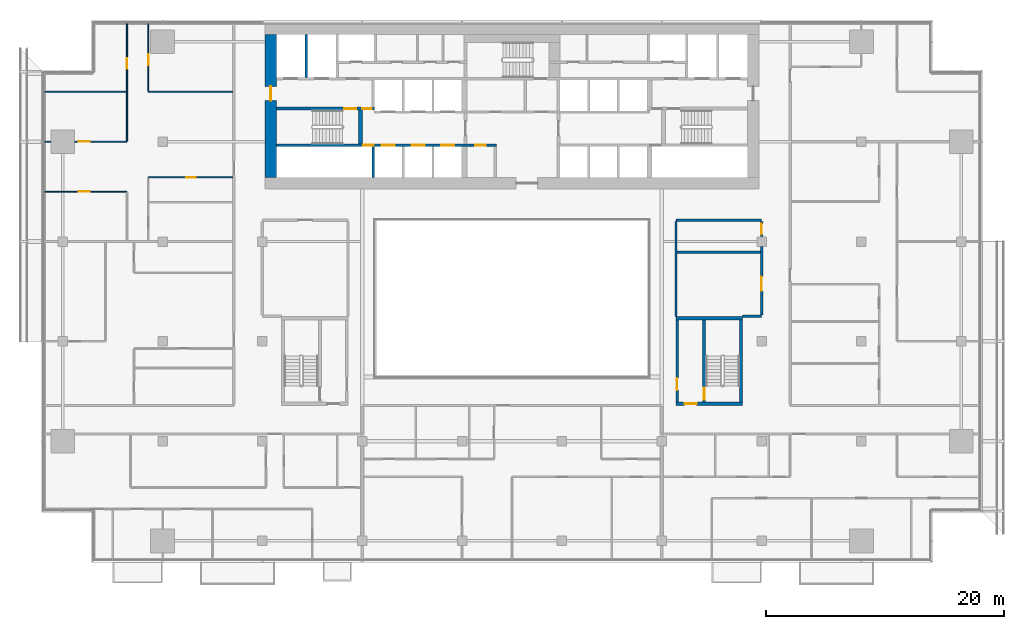
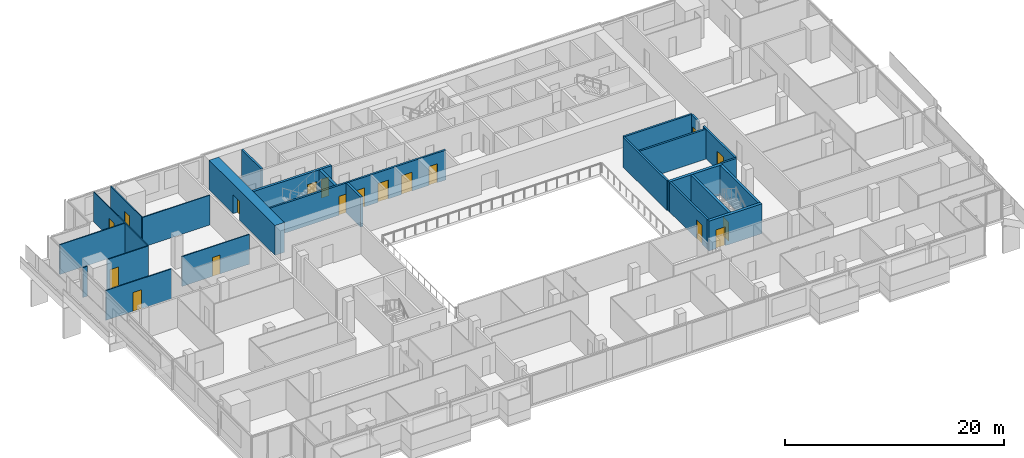
# One storey, part 20 of 27: 25 walls, 18 doors, 18 openings.
"""IFC4 building model written with IfcOpenShell, lengths in metres."""

import ifcopenshell
import ifcopenshell.guid

model = None  # the IFC model being written
_history = None  # IfcOwnerHistory: only IFC2X3 demands one
_inside = {}  # id of a spatial element -> (the spatial element, [elements in it])
_under = {}  # id of a project, library or spatial element -> (it, [spatial elements below it])
_declared = {}  # id of a project -> (the project, [libraries it declares])
_typed = {}  # id of a type object -> (the type object, [elements of that type])
_made_of = {}  # id of a material, layer set ... -> (it, [elements and type objects made of it])


def new_model(schema):
    """Start an empty IFC model of exactly this schema.

    Asked for "IFC4X3", IfcOpenShell would pick the latest addendum, in which some entities
    have other attributes; the version numbers below select the first issue.
    IFC2X3 requires an IfcOwnerHistory on every rooted entity: one is made here for all.
    """
    global model, _history
    if schema == "IFC4X3":
        model = ifcopenshell.file(schema_version=(4, 3, 0, 0))
    else:
        model = ifcopenshell.file(schema=schema)
    _inside.clear()
    _under.clear()
    _declared.clear()
    _typed.clear()
    _made_of.clear()
    _history = None
    if model.schema == "IFC2X3":
        org = make("IfcOrganization", Name="unknown")
        user = make(
            "IfcPersonAndOrganization",
            ThePerson=make("IfcPerson", FamilyName="unknown"),
            TheOrganization=org,
        )
        app = make(
            "IfcApplication",
            ApplicationDeveloper=org,
            Version="unknown",
            ApplicationFullName="unknown",
            ApplicationIdentifier="unknown",
        )
        _history = make(
            "IfcOwnerHistory",
            OwningUser=user,
            OwningApplication=app,
            ChangeAction="ADDED",
            CreationDate=0,
        )
    return model


def make(cls, **values):
    """One entity of the class cls with the attributes given. An attribute that is None is left unset."""
    return model.create_entity(
        cls, **{name: value for name, value in values.items() if value is not None}
    )


def rooted(cls, **values):
    """An entity with a GlobalId (a new one), such as an element, a storey or a relation."""
    return make(cls, GlobalId=ifcopenshell.guid.new(), OwnerHistory=_history, **values)


def si_unit(unit_type, name, prefix=None):
    """IfcSIUnit, for example si_unit("LENGTHUNIT", "METRE", prefix="MILLI")."""
    return make("IfcSIUnit", UnitType=unit_type, Prefix=prefix, Name=name)


def assignment(units):
    """IfcUnitAssignment: the units of a project."""
    return None if units is None else make("IfcUnitAssignment", Units=units)


def point(xyz):
    """IfcCartesianPoint."""
    return None if xyz is None else make("IfcCartesianPoint", Coordinates=xyz)


def direction(xyz):
    """IfcDirection."""
    return None if xyz is None else make("IfcDirection", DirectionRatios=xyz)


def frame(location, z_axis=None, x_axis=None):
    """IfcAxis2Placement3D, a coordinate frame: its origin and axes. An axis left out is left unset."""
    return make(
        "IfcAxis2Placement3D",
        Location=point(location),
        Axis=direction(z_axis),
        RefDirection=direction(x_axis),
    )


def frame_2d(location, x_axis=None):
    """IfcAxis2Placement2D, a coordinate frame in the plane: its origin and x axis."""
    return make(
        "IfcAxis2Placement2D", Location=point(location), RefDirection=direction(x_axis)
    )


def origin():
    """The frame at (0, 0, 0) with its axes left unset."""
    return frame((0.0, 0.0, 0.0))


def place(relative_to, where):
    """IfcLocalPlacement: puts the frame where relative to a parent placement (None: the world)."""
    return make(
        "IfcLocalPlacement", PlacementRelTo=relative_to, RelativePlacement=where
    )


def context(
    kind, dimensions, precision=None, world=None, true_north=None, identifier=None
):
    """IfcGeometricRepresentationContext, for example the 3D "Model" context."""
    return make(
        "IfcGeometricRepresentationContext",
        ContextIdentifier=identifier,
        ContextType=kind,
        CoordinateSpaceDimension=dimensions,
        Precision=precision,
        WorldCoordinateSystem=world,
        TrueNorth=true_north,
    )


def subcontext(parent, identifier, kind, view, scale=None):
    """IfcGeometricRepresentationSubContext, for example "Body" below "Model"."""
    return make(
        "IfcGeometricRepresentationSubContext",
        ContextIdentifier=identifier,
        ContextType=kind,
        ParentContext=parent,
        TargetScale=scale,
        TargetView=view,
    )


def project(units=None, contexts=None):
    """IfcProject with its units and contexts."""
    return rooted(
        "IfcProject",
        Name="project",
        RepresentationContexts=contexts,
        UnitsInContext=assignment(units),
    )


def spatial(cls, under=None, at=None, **own):
    """A site, building, storey or space (cls), placed at a placement, below another one or the project."""
    s = rooted(cls, ObjectPlacement=at, **own)
    if under is not None:
        _under.setdefault(under.id(), (under, []))[1].append(s)
    return s


def profile(cls, at=None, kind="AREA", **sizes):
    """A parametric profile (cls). Its sizes go by their IFC names, for example OverallWidth=200.0."""
    return make(cls, ProfileType=kind, Position=at, **sizes)


def rectangle(**sizes):
    """IfcRectangleProfileDef."""
    return profile("IfcRectangleProfileDef", **sizes)


def extrude(swept, where, along, depth):
    """IfcExtrudedAreaSolid: the profile swept, set in the frame where, extruded along a direction by depth."""
    return make(
        "IfcExtrudedAreaSolid",
        SweptArea=swept,
        Position=where,
        ExtrudedDirection=direction(along),
        Depth=depth,
    )


def shape(context_of_items, identifier, shape_type, items):
    """IfcShapeRepresentation: the items that make up one representation, for example the "Body"."""
    return make(
        "IfcShapeRepresentation",
        ContextOfItems=context_of_items,
        RepresentationIdentifier=identifier,
        RepresentationType=shape_type,
        Items=items,
    )


def material(Name=None, Category=None):
    """IfcMaterial."""
    return make("IfcMaterial", Name=Name, Category=Category)


def layer(
    of_material, thickness, ventilated=None, Name=None, Category=None, Priority=None
):
    """IfcMaterialLayer: one layer of a wall or slab, of a material (None: an air gap)."""
    return make(
        "IfcMaterialLayer",
        Material=of_material,
        LayerThickness=thickness,
        IsVentilated=ventilated,
        Name=Name,
        Category=Category,
        Priority=Priority,
    )


def layer_set(layers, Name=None):
    """IfcMaterialLayerSet."""
    return make("IfcMaterialLayerSet", MaterialLayers=layers, LayerSetName=Name)


def made_of(thing, what):
    """Note that an element or type object is made of a material, layer set ...; save() writes the relation."""
    if what is not None:
        _made_of.setdefault(what.id(), (what, []))[1].append(thing)
    return thing


def type_object(cls, material=None, **own):
    """A type object (cls), such as IfcWallType, which elements share."""
    return made_of(rooted(cls, **own), material)


def element(
    cls,
    number,
    at=None,
    inside=None,
    cuts=None,
    type_object=None,
    material=None,
    context=None,
    identifier="Body",
    shape_type=None,
    held_by="IfcProductDefinitionShape",
    body=None,
    shapes=None,
    **own,
):
    """One element of the class cls, such as IfcWall. Its Tag is "e" and its number.

    at: its placement. inside: the storey or other place that contains it. cuts: it is an
    opening in that element (IfcRelVoidsElement). A single representation is given by context,
    identifier, shape_type and body (its items); several are given by shapes. held_by: the class
    of the entity that holds the representations. save() writes the other relations.
    """
    e = rooted(cls, Tag="e%d" % number, ObjectPlacement=at, **own)
    if body is not None:
        shapes = [shape(context, identifier, shape_type, body)]
    if shapes is not None:
        e.Representation = make(held_by, Representations=shapes)
    if inside is not None:
        _inside.setdefault(inside.id(), (inside, []))[1].append(e)
    if cuts is not None:
        rooted(
            "IfcRelVoidsElement", RelatingBuildingElement=cuts, RelatedOpeningElement=e
        )
    if type_object is not None:
        _typed.setdefault(type_object.id(), (type_object, []))[1].append(e)
    return made_of(e, material)


def fill(opening, filler):
    """IfcRelFillsElement: the door or window that sits in an opening."""
    return rooted(
        "IfcRelFillsElement",
        RelatingOpeningElement=opening,
        RelatedBuildingElement=filler,
    )


def aggregate(whole, parts):
    """IfcRelAggregates: a whole, such as a stair, and the parts it consists of."""
    return rooted("IfcRelAggregates", RelatingObject=whole, RelatedObjects=parts)


def save(model, path):
    """Write the relations noted so far, then the file.

    IfcRelAggregates (storeys below a building ...), IfcRelContainedInSpatialStructure (elements
    in a storey), IfcRelDefinesByType, IfcRelAssociatesMaterial and IfcRelDeclares: one each for
    every whole, place, type object, material and project.
    """
    for whole, parts in _under.values():
        aggregate(whole, parts)
    for where, things in _inside.values():
        rooted(
            "IfcRelContainedInSpatialStructure",
            RelatedElements=things,
            RelatingStructure=where,
        )
    for kind, things in _typed.values():
        rooted("IfcRelDefinesByType", RelatedObjects=things, RelatingType=kind)
    for what, things in _made_of.values():
        rooted("IfcRelAssociatesMaterial", RelatedObjects=things, RelatingMaterial=what)
    for by, libraries in _declared.values():
        rooted("IfcRelDeclares", RelatingContext=by, RelatedDefinitions=libraries)
    model.write(path)


model = new_model("IFC4")

# Units and contexts
model_context = context("Model", 3, precision=1e-05, world=origin(), true_north=direction((0.0, 1.0)))
body_context = subcontext(model_context, "Body", "Model", "MODEL_VIEW")
ifc_project = project(units=[si_unit("LENGTHUNIT", "METRE"), si_unit("AREAUNIT", "SQUARE_METRE"), si_unit("VOLUMEUNIT", "CUBIC_METRE"), si_unit("PLANEANGLEUNIT", "RADIAN"), si_unit("MASSUNIT", "GRAM", prefix="KILO")], contexts=[model_context])

# Site, building, storey
site_placement = place(None, origin())
site = spatial("IfcSite", under=ifc_project, at=site_placement, CompositionType="ELEMENT")
building_placement = place(site_placement, origin())
building = spatial("IfcBuilding", under=site, at=building_placement, Name="Saffron Gate Tower", CompositionType="ELEMENT")
storey_placement = place(building_placement, frame((0.0, 0.0, 109.64990234375)))
storey = spatial("IfcBuildingStorey", under=building, at=storey_placement, Name="L25", CompositionType="ELEMENT", Elevation=109.64990234375)

# Wall, opening, door
ifc_material_1 = material(Name="Gypsum board partition on steel studs", Category="steel")
ifc_layer_1 = layer(ifc_material_1, 0.199951171875)
ifc_layer_set_1 = layer_set([ifc_layer_1], Name="CW10 Core partition 200")
wall_type_1 = type_object("IfcWallType", Name="CW10 Core partition 200", PredefinedType="PARTITIONING", material=ifc_layer_set_1)
wall_1_placement = place(storey_placement, frame((101.5, 43.5, 0.0), z_axis=(0.0, 0.0, 1.0), x_axis=(0.0, 1.0, 0.0)))
wall_1 = element("IfcWall", 1, at=wall_1_placement, inside=storey, type_object=wall_type_1, Name="Wall CW10-L25-E-2", PredefinedType="PARTITIONING", context=body_context, shape_type="SweptSolid", body=[
    extrude(rectangle(XDim=6.89990234375, YDim=0.199951171875, at=frame_2d((3.449951171875, 0.0))), origin(), (0.0, 0.0, 1.0), 3.320068359375),
])
opening_1_placement = place(wall_1_placement, frame((1.0, 0.0, 0.0)))
opening_1 = element("IfcOpeningElement", 2, at=opening_1_placement, cuts=wall_1, Name="Opening CR-22", PredefinedType="OPENING", context=body_context, shape_type="SweptSolid", body=[
    extrude(rectangle(XDim=1.0, YDim=2.10009765625, at=frame_2d((0.5, 1.050048828125))), frame((0.0, 0.10986328125, 0.0), z_axis=(0.0, -1.0, 0.0), x_axis=(1.0, 0.0, 0.0)), (0.0, 0.0, 1.0), 0.219970703125),
])
ifc_material_2 = material(Name="Steel fire door set", Category="steel")
door_type_1 = type_object("IfcDoorType", Name="CD4 Lobby door 1000x2100 EI 120", OperationType="NOTDEFINED", PredefinedType="DOOR", material=ifc_material_2)
door_1_placement = place(opening_1_placement, origin())
door_1 = element("IfcDoor", 3, at=door_1_placement, inside=storey, type_object=door_type_1, Name="DOOR CR-22", OperationType="SINGLE_SWING_LEFT", OverallHeight=2.10009765625, OverallWidth=1.0, PredefinedType="DOOR", context=body_context, shape_type="SweptSolid", body=[
    extrude(rectangle(XDim=1.0, YDim=2.10009765625, at=frame_2d((0.5, 1.050048828125))), frame((0.0, 0.02490234375, 0.0), z_axis=(0.0, -1.0, 0.0), x_axis=(1.0, 0.0, 0.0)), (0.0, 0.0, 1.0), 0.050048828125),
])
fill(opening_1, door_1)

ifc_material_3 = material(Name="Concrete C70", Category="concrete")
ifc_layer_2 = layer(ifc_material_3, 1.0)
ifc_layer_set_2 = layer_set([ifc_layer_2], Name="CW12 RC core wall 1000 C70")
wall_type_2 = type_object("IfcWallType", Name="CW12 RC core wall 1000 C70", PredefinedType="SOLIDWALL", material=ifc_layer_set_2)
wall_2_placement = place(storey_placement, frame((67.300048828125, 62.39990234375, 0.0), z_axis=(0.0, 0.0, 1.0), x_axis=(0.0, 1.0, 0.0)))
wall_2 = element("IfcWall", 4, at=wall_2_placement, inside=storey, type_object=wall_type_2, Name="Wall CW12-L25-3", PredefinedType="SOLIDWALL", context=body_context, shape_type="SweptSolid", body=[
    extrude(rectangle(XDim=12.0, YDim=1.0, at=frame_2d((6.0, 0.0))), origin(), (0.0, 0.0, 1.0), 3.320068359375),
])
opening_2_placement = place(wall_2_placement, frame((6.449951171875, 0.0, 0.0)))
opening_2 = element("IfcOpeningElement", 5, at=opening_2_placement, cuts=wall_2, Name="Opening CR-10", PredefinedType="OPENING", context=body_context, shape_type="SweptSolid", body=[
    extrude(rectangle(XDim=1.199951171875, YDim=2.10009765625, at=frame_2d((0.60009765625, 1.050048828125))), frame((0.0, 0.510009765625, 0.0), z_axis=(0.0, -1.0, 0.0), x_axis=(1.0, 0.0, 0.0)), (0.0, 0.0, 1.0), 1.02001953125),
])
door_type_2 = type_object("IfcDoorType", Name="CD7 Core entrance door 1200x2100 EI 120", OperationType="NOTDEFINED", PredefinedType="DOOR", material=ifc_material_2)
door_2_placement = place(opening_2_placement, origin())
door_2 = element("IfcDoor", 6, at=door_2_placement, inside=storey, type_object=door_type_2, Name="DOOR CR-10", OperationType="SINGLE_SWING_LEFT", OverallHeight=2.10009765625, OverallWidth=1.199951171875, PredefinedType="DOOR", context=body_context, shape_type="SweptSolid", body=[
    extrude(rectangle(XDim=1.199951171875, YDim=2.10009765625, at=frame_2d((0.60009765625, 1.050048828125))), frame((0.0, 0.02490234375, 0.0), z_axis=(0.0, -1.0, 0.0), x_axis=(1.0, 0.0, 0.0)), (0.0, 0.0, 1.0), 0.050048828125),
])
fill(opening_2, door_2)

# Wall
ifc_layer_3 = layer(ifc_material_3, 0.25)
ifc_layer_set_3 = layer_set([ifc_layer_3], Name="CW2 RC core wall 250 C70")
wall_type_3 = type_object("IfcWallType", Name="CW2 RC core wall 250 C70", PredefinedType="SOLIDWALL", material=ifc_layer_set_3)
wall_3_placement = place(storey_placement, frame((75.925048828125, 62.39990234375, 0.0), z_axis=(0.0, 0.0, 1.0), x_axis=(0.0, 1.0, 0.0)))
element("IfcWall", 7, at=wall_3_placement, inside=storey, type_object=wall_type_3, Name="Wall CW2-L25-5", PredefinedType="SOLIDWALL", context=body_context, shape_type="SweptSolid", body=[
    extrude(rectangle(XDim=2.60009765625, YDim=0.25, at=frame_2d((1.300048828125, 0.0))), origin(), (0.0, 0.0, 1.0), 3.320068359375),
])

# Wall, openings, doors
wall_4_placement = place(storey_placement, frame((67.800048828125, 68.175048828125, 0.0), z_axis=(0.0, 0.0, 1.0), x_axis=(1.0, 0.0, 0.0)))
wall_4 = element("IfcWall", 8, at=wall_4_placement, inside=storey, type_object=wall_type_3, Name="Wall CW2-L25-29", PredefinedType="SOLIDWALL", context=body_context, shape_type="SweptSolid", body=[
    extrude(rectangle(XDim=8.25, YDim=0.25, at=frame_2d((4.125, 0.0))), origin(), (0.0, 0.0, 1.0), 3.320068359375),
])
opening_3_placement = place(wall_4_placement, frame((5.699951171875, 0.0, 0.0)))
opening_3 = element("IfcOpeningElement", 9, at=opening_3_placement, cuts=wall_4, Name="Opening CR-15", PredefinedType="OPENING", context=body_context, shape_type="SweptSolid", body=[
    extrude(rectangle(XDim=1.0, YDim=2.10009765625, at=frame_2d((0.5, 1.050048828125))), frame((0.0, 0.135009765625, 0.0), z_axis=(0.0, -1.0, 0.0), x_axis=(1.0, 0.0, 0.0)), (0.0, 0.0, 1.0), 0.27001953125),
])
opening_4_placement = place(wall_4_placement, frame((7.199951171875, 0.0, 0.0)))
opening_4 = element("IfcOpeningElement", 10, at=opening_4_placement, cuts=wall_4, Name="Opening CR-06", PredefinedType="OPENING", context=body_context, shape_type="SweptSolid", body=[
    extrude(rectangle(XDim=0.800048828125, YDim=2.10009765625, at=frame_2d((0.39990234375, 1.050048828125))), frame((0.0, 0.135009765625, 0.0), z_axis=(0.0, -1.0, 0.0), x_axis=(1.0, 0.0, 0.0)), (0.0, 0.0, 1.0), 0.27001953125),
])
door_type_3 = type_object("IfcDoorType", Name="CD5 Stair door 1000x2100 EI 120", OperationType="NOTDEFINED", PredefinedType="DOOR", material=ifc_material_2)
door_3_placement = place(opening_3_placement, origin())
door_3 = element("IfcDoor", 11, at=door_3_placement, inside=storey, type_object=door_type_3, Name="DOOR CR-15", OperationType="SINGLE_SWING_RIGHT", OverallHeight=2.10009765625, OverallWidth=1.0, PredefinedType="DOOR", context=body_context, shape_type="SweptSolid", body=[
    extrude(rectangle(XDim=1.0, YDim=2.10009765625, at=frame_2d((0.5, 1.050048828125))), frame((0.0, 0.02490234375, 0.0), z_axis=(0.0, -1.0, 0.0), x_axis=(1.0, 0.0, 0.0)), (0.0, 0.0, 1.0), 0.050048828125),
])
fill(opening_3, door_3)
door_type_4 = type_object("IfcDoorType", Name="CD6 Lobby door 800x2100 EI 120", OperationType="NOTDEFINED", PredefinedType="DOOR", material=ifc_material_2)
door_4_placement = place(opening_4_placement, origin())
door_4 = element("IfcDoor", 12, at=door_4_placement, inside=storey, type_object=door_type_4, Name="DOOR CR-06", OperationType="SINGLE_SWING_LEFT", OverallHeight=2.10009765625, OverallWidth=0.800048828125, PredefinedType="DOOR", context=body_context, shape_type="SweptSolid", body=[
    extrude(rectangle(XDim=0.800048828125, YDim=2.10009765625, at=frame_2d((0.39990234375, 1.050048828125))), frame((0.0, 0.02490234375, 0.0), z_axis=(0.0, -1.0, 0.0), x_axis=(1.0, 0.0, 0.0)), (0.0, 0.0, 1.0), 0.050048828125),
])
fill(opening_4, door_4)

# Wall, opening, door
wall_5_placement = place(storey_placement, frame((103.77490234375, 43.5, 0.0), z_axis=(0.0, 0.0, 1.0), x_axis=(0.0, 1.0, 0.0)))
wall_5 = element("IfcWall", 13, at=wall_5_placement, inside=storey, type_object=wall_type_3, Name="Wall CW2-L25-E-3", PredefinedType="SOLIDWALL", context=body_context, shape_type="SweptSolid", body=[
    extrude(rectangle(XDim=6.89990234375, YDim=0.25, at=frame_2d((3.449951171875, 0.0))), origin(), (0.0, 0.0, 1.0), 3.320068359375),
])
opening_5_placement = place(wall_5_placement, frame((0.199951171875, 0.0, 0.0)))
opening_5 = element("IfcOpeningElement", 14, at=opening_5_placement, cuts=wall_5, Name="Opening CR-23", PredefinedType="OPENING", context=body_context, shape_type="SweptSolid", body=[
    extrude(rectangle(XDim=1.0, YDim=2.10009765625, at=frame_2d((0.5, 1.050048828125))), frame((0.0, 0.135009765625, 0.0), z_axis=(0.0, -1.0, 0.0), x_axis=(1.0, 0.0, 0.0)), (0.0, 0.0, 1.0), 0.27001953125),
])
door_5_placement = place(opening_5_placement, origin())
door_5 = element("IfcDoor", 15, at=door_5_placement, inside=storey, type_object=door_type_3, Name="DOOR CR-23", OperationType="SINGLE_SWING_RIGHT", OverallHeight=2.10009765625, OverallWidth=1.0, PredefinedType="DOOR", context=body_context, shape_type="SweptSolid", body=[
    extrude(rectangle(XDim=1.0, YDim=2.10009765625, at=frame_2d((0.5, 1.050048828125))), frame((0.0, 0.02490234375, 0.0), z_axis=(0.0, -1.0, 0.0), x_axis=(1.0, 0.0, 0.0)), (0.0, 0.0, 1.0), 0.050048828125),
])
fill(opening_5, door_5)

# Wall
wall_6_placement = place(storey_placement, frame((106.875, 43.5, 0.0), z_axis=(0.0, 0.0, 1.0), x_axis=(0.0, 1.0, 0.0)))
element("IfcWall", 16, at=wall_6_placement, inside=storey, type_object=wall_type_3, Name="Wall CW2-L25-E-4", PredefinedType="SOLIDWALL", context=body_context, shape_type="SweptSolid", body=[
    extrude(rectangle(XDim=6.89990234375, YDim=0.25, at=frame_2d((3.449951171875, 0.0))), origin(), (0.0, 0.0, 1.0), 3.320068359375),
])

# Wall, openings, doors
ifc_layer_4 = layer(ifc_material_3, 0.199951171875)
ifc_layer_set_4 = layer_set([ifc_layer_4], Name="CW3 RC core wall 200 C70")
wall_type_4 = type_object("IfcWallType", Name="CW3 RC core wall 200 C70", PredefinedType="SOLIDWALL", material=ifc_layer_set_4)
wall_7_placement = place(storey_placement, frame((67.800048828125, 65.10009765625, 0.0), z_axis=(0.0, 0.0, 1.0), x_axis=(1.0, 0.0, 0.0)))
wall_7 = element("IfcWall", 17, at=wall_7_placement, inside=storey, type_object=wall_type_4, Name="Wall CW3-L25-14", PredefinedType="SOLIDWALL", context=body_context, shape_type="SweptSolid", body=[
    extrude(rectangle(XDim=18.5, YDim=0.199951171875, at=frame_2d((9.25, 0.0))), origin(), (0.0, 0.0, 1.0), 3.320068359375),
])
opening_6_placement = place(wall_7_placement, frame((7.27001953125, 0.0, 0.0)))
opening_6 = element("IfcOpeningElement", 18, at=opening_6_placement, cuts=wall_7, Name="Opening CR-49", PredefinedType="OPENING", context=body_context, shape_type="SweptSolid", body=[
    extrude(rectangle(XDim=0.89990234375, YDim=2.10009765625, at=frame_2d((0.449951171875, 1.050048828125))), frame((0.0, 0.10986328125, 0.0), z_axis=(0.0, -1.0, 0.0), x_axis=(1.0, 0.0, 0.0)), (0.0, 0.0, 1.0), 0.219970703125),
])
opening_7_placement = place(wall_7_placement, frame((8.85009765625, 0.0, 0.0)))
opening_7 = element("IfcOpeningElement", 19, at=opening_7_placement, cuts=wall_7, Name="Opening LD-LR1", PredefinedType="OPENING", context=body_context, shape_type="SweptSolid", body=[
    extrude(rectangle(XDim=1.10009765625, YDim=2.10009765625, at=frame_2d((0.550048828125, 1.050048828125))), frame((0.0, 0.10986328125, 0.0), z_axis=(0.0, -1.0, 0.0), x_axis=(1.0, 0.0, 0.0)), (0.0, 0.0, 1.0), 0.219970703125),
])
opening_8_placement = place(wall_7_placement, frame((11.35009765625, 0.0, 0.0)))
opening_8 = element("IfcOpeningElement", 20, at=opening_8_placement, cuts=wall_7, Name="Opening LD-LR2", PredefinedType="OPENING", context=body_context, shape_type="SweptSolid", body=[
    extrude(rectangle(XDim=1.10009765625, YDim=2.10009765625, at=frame_2d((0.550048828125, 1.050048828125))), frame((0.0, 0.10986328125, 0.0), z_axis=(0.0, -1.0, 0.0), x_axis=(1.0, 0.0, 0.0)), (0.0, 0.0, 1.0), 0.219970703125),
])
opening_9_placement = place(wall_7_placement, frame((13.85009765625, 0.0, 0.0)))
opening_9 = element("IfcOpeningElement", 21, at=opening_9_placement, cuts=wall_7, Name="Opening LD-LR3", PredefinedType="OPENING", context=body_context, shape_type="SweptSolid", body=[
    extrude(rectangle(XDim=1.10009765625, YDim=2.10009765625, at=frame_2d((0.550048828125, 1.050048828125))), frame((0.0, 0.10986328125, 0.0), z_axis=(0.0, -1.0, 0.0), x_axis=(1.0, 0.0, 0.0)), (0.0, 0.0, 1.0), 0.219970703125),
])
opening_10_placement = place(wall_7_placement, frame((16.699951171875, 0.0, 0.0)))
opening_10 = element("IfcOpeningElement", 22, at=opening_10_placement, cuts=wall_7, Name="Opening CR-69", PredefinedType="OPENING", context=body_context, shape_type="SweptSolid", body=[
    extrude(rectangle(XDim=0.89990234375, YDim=2.10009765625, at=frame_2d((0.449951171875, 1.050048828125))), frame((0.0, 0.10986328125, 0.0), z_axis=(0.0, -1.0, 0.0), x_axis=(1.0, 0.0, 0.0)), (0.0, 0.0, 1.0), 0.219970703125),
])
door_type_5 = type_object("IfcDoorType", Name="CD2 Riser door 900x2100 EI 60", OperationType="NOTDEFINED", PredefinedType="DOOR", material=ifc_material_2)
door_6_placement = place(opening_6_placement, origin())
door_6 = element("IfcDoor", 23, at=door_6_placement, inside=storey, type_object=door_type_5, Name="DOOR CR-49", OperationType="SINGLE_SWING_LEFT", OverallHeight=2.10009765625, OverallWidth=0.89990234375, PredefinedType="DOOR", context=body_context, shape_type="SweptSolid", body=[
    extrude(rectangle(XDim=0.89990234375, YDim=2.10009765625, at=frame_2d((0.449951171875, 1.050048828125))), frame((0.0, 0.02490234375, 0.0), z_axis=(0.0, -1.0, 0.0), x_axis=(1.0, 0.0, 0.0)), (0.0, 0.0, 1.0), 0.050048828125),
])
fill(opening_6, door_6)
door_type_6 = type_object("IfcDoorType", Name="CD9 Room door 900x2100 EI 60", OperationType="NOTDEFINED", PredefinedType="DOOR", material=ifc_material_2)
door_7_placement = place(opening_10_placement, origin())
door_7 = element("IfcDoor", 24, at=door_7_placement, inside=storey, type_object=door_type_6, Name="DOOR CR-69", OperationType="SINGLE_SWING_RIGHT", OverallHeight=2.10009765625, OverallWidth=0.89990234375, PredefinedType="DOOR", context=body_context, shape_type="SweptSolid", body=[
    extrude(rectangle(XDim=0.89990234375, YDim=2.10009765625, at=frame_2d((0.449951171875, 1.050048828125))), frame((0.0, 0.02490234375, 0.0), z_axis=(0.0, -1.0, 0.0), x_axis=(1.0, 0.0, 0.0)), (0.0, 0.0, 1.0), 0.050048828125),
])
fill(opening_10, door_7)
ifc_material_4 = material(Name="Stainless steel landing door", Category="steel")
door_type_7 = type_object("IfcDoorType", Name="LD Lift landing door 1100x2100 EI 120", OperationType="SLIDING_TO_LEFT", PredefinedType="DOOR", material=ifc_material_4)
door_8_placement = place(opening_7_placement, origin())
door_8 = element("IfcDoor", 25, at=door_8_placement, inside=storey, type_object=door_type_7, Name="LANDING DOOR LD-LR1", OperationType="SLIDING_TO_LEFT", OverallHeight=2.10009765625, OverallWidth=1.10009765625, PredefinedType="DOOR", context=body_context, shape_type="SweptSolid", body=[
    extrude(rectangle(XDim=1.10009765625, YDim=2.10009765625, at=frame_2d((0.550048828125, 1.050048828125))), frame((0.0, 0.02490234375, 0.0), z_axis=(0.0, -1.0, 0.0), x_axis=(1.0, 0.0, 0.0)), (0.0, 0.0, 1.0), 0.050048828125),
])
fill(opening_7, door_8)
door_9_placement = place(opening_8_placement, origin())
door_9 = element("IfcDoor", 26, at=door_9_placement, inside=storey, type_object=door_type_7, Name="LANDING DOOR LD-LR2", OperationType="SLIDING_TO_LEFT", OverallHeight=2.10009765625, OverallWidth=1.10009765625, PredefinedType="DOOR", context=body_context, shape_type="SweptSolid", body=[
    extrude(rectangle(XDim=1.10009765625, YDim=2.10009765625, at=frame_2d((0.550048828125, 1.050048828125))), frame((0.0, 0.02490234375, 0.0), z_axis=(0.0, -1.0, 0.0), x_axis=(1.0, 0.0, 0.0)), (0.0, 0.0, 1.0), 0.050048828125),
])
fill(opening_8, door_9)
door_10_placement = place(opening_9_placement, origin())
door_10 = element("IfcDoor", 27, at=door_10_placement, inside=storey, type_object=door_type_7, Name="LANDING DOOR LD-LR3", OperationType="SLIDING_TO_LEFT", OverallHeight=2.10009765625, OverallWidth=1.10009765625, PredefinedType="DOOR", context=body_context, shape_type="SweptSolid", body=[
    extrude(rectangle(XDim=1.10009765625, YDim=2.10009765625, at=frame_2d((0.550048828125, 1.050048828125))), frame((0.0, 0.02490234375, 0.0), z_axis=(0.0, -1.0, 0.0), x_axis=(1.0, 0.0, 0.0)), (0.0, 0.0, 1.0), 0.050048828125),
])
fill(opening_9, door_10)

# Walls
wall_8_placement = place(storey_placement, frame((70.300048828125, 70.800048828125, 0.0), z_axis=(0.0, 0.0, 1.0), x_axis=(0.0, 1.0, 0.0)))
element("IfcWall", 28, at=wall_8_placement, inside=storey, type_object=wall_type_4, Name="Wall CW3-L25-34", PredefinedType="SOLIDWALL", context=body_context, shape_type="SweptSolid", body=[
    extrude(rectangle(XDim=3.599853515625, YDim=0.199951171875, at=frame_2d((1.7998046875, 0.0))), origin(), (0.0, 0.0, 1.0), 3.320068359375),
])
ifc_layer_5 = layer(ifc_material_3, 0.300048828125)
ifc_layer_set_5 = layer_set([ifc_layer_5], Name="CW5 RC core wall 300 C70")
wall_type_5 = type_object("IfcWallType", Name="CW5 RC core wall 300 C70", PredefinedType="SOLIDWALL", material=ifc_layer_set_5)
wall_9_placement = place(storey_placement, frame((74.85009765625, 65.199951171875, 0.0), z_axis=(0.0, 0.0, 1.0), x_axis=(0.0, 1.0, 0.0)))
element("IfcWall", 29, at=wall_9_placement, inside=storey, type_object=wall_type_5, Name="Wall CW5-L25-16", PredefinedType="SOLIDWALL", context=body_context, shape_type="SweptSolid", body=[
    extrude(rectangle(XDim=2.85009765625, YDim=0.300048828125, at=frame_2d((1.425048828125, 0.0))), origin(), (0.0, 0.0, 1.0), 3.320068359375),
])

# Wall, opening, door
wall_10_placement = place(storey_placement, frame((101.39990234375, 43.35009765625, 0.0), z_axis=(0.0, 0.0, 1.0), x_axis=(1.0, 0.0, 0.0)))
wall_10 = element("IfcWall", 30, at=wall_10_placement, inside=storey, type_object=wall_type_5, Name="Wall CW5-L25-E-1", PredefinedType="SOLIDWALL", context=body_context, shape_type="SweptSolid", body=[
    extrude(rectangle(XDim=5.60009765625, YDim=0.300048828125, at=frame_2d((2.800048828125, 0.0))), origin(), (0.0, 0.0, 1.0), 3.320068359375),
])
opening_11_placement = place(wall_10_placement, frame((0.72509765625, 0.0, 0.0)))
opening_11 = element("IfcOpeningElement", 31, at=opening_11_placement, cuts=wall_10, Name="Opening CR-21", PredefinedType="OPENING", context=body_context, shape_type="SweptSolid", body=[
    extrude(rectangle(XDim=1.0, YDim=2.10009765625, at=frame_2d((0.5, 1.050048828125))), frame((0.0, 0.16015625, 0.0), z_axis=(0.0, -1.0, 0.0), x_axis=(1.0, 0.0, 0.0)), (0.0, 0.0, 1.0), 0.320068359375),
])
door_11_placement = place(opening_11_placement, origin())
door_11 = element("IfcDoor", 32, at=door_11_placement, inside=storey, type_object=door_type_1, Name="DOOR CR-21", OperationType="SINGLE_SWING_RIGHT", OverallHeight=2.10009765625, OverallWidth=1.0, PredefinedType="DOOR", context=body_context, shape_type="SweptSolid", body=[
    extrude(rectangle(XDim=1.0, YDim=2.10009765625, at=frame_2d((0.5, 1.050048828125))), frame((0.0, 0.02490234375, 0.0), z_axis=(0.0, -1.0, 0.0), x_axis=(1.0, 0.0, 0.0)), (0.0, 0.0, 1.0), 0.050048828125),
])
fill(opening_11, door_11)

# Wall
wall_11_placement = place(storey_placement, frame((101.39990234375, 50.550048828125, 0.0), z_axis=(0.0, 0.0, 1.0), x_axis=(1.0, 0.0, 0.0)))
element("IfcWall", 33, at=wall_11_placement, inside=storey, type_object=wall_type_5, Name="Wall CW5-L25-E-5", PredefinedType="SOLIDWALL", context=body_context, shape_type="SweptSolid", body=[
    extrude(rectangle(XDim=5.60009765625, YDim=0.300048828125, at=frame_2d((2.800048828125, 0.0))), origin(), (0.0, 0.0, 1.0), 3.320068359375),
])

# Wall, opening, door
ifc_material_5 = material(Name="Plasterboard on steel studs", Category="steel")
ifc_layer_6 = layer(ifc_material_5, 0.10009765625)
ifc_layer_set_6 = layer_set([ifc_layer_6], Name="PW1 Partition 100")
wall_type_6 = type_object("IfcWallType", Name="PW1 Partition 100", PredefinedType="PARTITIONING", material=ifc_layer_set_6)
wall_12_placement = place(storey_placement, frame((55.199951171875, 61.199951171875, 0.0), z_axis=(0.0, 0.0, 1.0), x_axis=(-1.0, 0.0, 0.0)))
wall_12 = element("IfcWall", 34, at=wall_12_placement, inside=storey, type_object=wall_type_6, Name="Partition B2-38", PredefinedType="PARTITIONING", context=body_context, shape_type="SweptSolid", body=[
    extrude(rectangle(XDim=6.919921875, YDim=0.10009765625, at=frame_2d((3.4599609375, 0.0))), origin(), (0.0, 0.0, 1.0), 3.320068359375),
])
opening_12_placement = place(wall_12_placement, frame((3.14990234375, 0.0, 0.0)))
opening_12 = element("IfcOpeningElement", 35, at=opening_12_placement, cuts=wall_12, Name="Opening B2-26", PredefinedType="OPENING", context=body_context, shape_type="SweptSolid", body=[
    extrude(rectangle(XDim=0.89990234375, YDim=2.10009765625, at=frame_2d((0.449951171875, 1.050048828125))), frame((0.0, 0.06005859375, 0.0), z_axis=(0.0, -1.0, 0.0), x_axis=(1.0, 0.0, 0.0)), (0.0, 0.0, 1.0), 0.1201171875),
])
ifc_material_6 = material(Name="Timber door set", Category="wood")
door_type_8 = type_object("IfcDoorType", Name="RD1 Room door 900x2100", OperationType="NOTDEFINED", PredefinedType="DOOR", material=ifc_material_6)
door_12_placement = place(opening_12_placement, origin())
door_12 = element("IfcDoor", 36, at=door_12_placement, inside=storey, type_object=door_type_8, Name="Door B2-26", OperationType="SINGLE_SWING_RIGHT", OverallHeight=2.10009765625, OverallWidth=0.89990234375, PredefinedType="DOOR", context=body_context, shape_type="SweptSolid", body=[
    extrude(rectangle(XDim=0.89990234375, YDim=2.10009765625, at=frame_2d((0.449951171875, 1.050048828125))), frame((0.0, 0.02490234375, 0.0), z_axis=(0.0, -1.0, 0.0), x_axis=(1.0, 0.0, 0.0)), (0.0, 0.0, 1.0), 0.050048828125),
])
fill(opening_12, door_12)

wall_13_placement = place(storey_placement, frame((64.10009765625, 62.39990234375, 0.0), z_axis=(0.0, 0.0, 1.0), x_axis=(-1.0, 0.0, 0.0)))
wall_13 = element("IfcWall", 37, at=wall_13_placement, inside=storey, type_object=wall_type_6, Name="Partition B2-39", PredefinedType="PARTITIONING", context=body_context, shape_type="SweptSolid", body=[
    extrude(rectangle(XDim=7.10009765625, YDim=0.10009765625, at=frame_2d((3.550048828125, 0.0))), origin(), (0.0, 0.0, 1.0), 3.320068359375),
])
opening_13_placement = place(wall_13_placement, frame((3.10009765625, 0.0, 0.0)))
opening_13 = element("IfcOpeningElement", 38, at=opening_13_placement, cuts=wall_13, Name="Opening B2-44", PredefinedType="OPENING", context=body_context, shape_type="SweptSolid", body=[
    extrude(rectangle(XDim=0.800048828125, YDim=2.10009765625, at=frame_2d((0.39990234375, 1.050048828125))), frame((0.0, 0.06005859375, 0.0), z_axis=(0.0, -1.0, 0.0), x_axis=(1.0, 0.0, 0.0)), (0.0, 0.0, 1.0), 0.1201171875),
])
door_type_9 = type_object("IfcDoorType", Name="RD2 Bathroom door 800x2100", OperationType="NOTDEFINED", PredefinedType="DOOR", material=ifc_material_6)
door_13_placement = place(opening_13_placement, origin())
door_13 = element("IfcDoor", 39, at=door_13_placement, inside=storey, type_object=door_type_9, Name="Door B2-44", OperationType="SINGLE_SWING_LEFT", OverallHeight=2.10009765625, OverallWidth=0.800048828125, PredefinedType="DOOR", context=body_context, shape_type="SweptSolid", body=[
    extrude(rectangle(XDim=0.800048828125, YDim=2.10009765625, at=frame_2d((0.39990234375, 1.050048828125))), frame((0.0, 0.02490234375, 0.0), z_axis=(0.0, -1.0, 0.0), x_axis=(1.0, 0.0, 0.0)), (0.0, 0.0, 1.0), 0.050048828125),
])
fill(opening_13, door_13)

# Wall
wall_14_placement = place(storey_placement, frame((48.280029296875, 65.39990234375, 0.0), z_axis=(0.0, 0.0, 1.0), x_axis=(1.0, 0.0, 0.0)))
element("IfcWall", 40, at=wall_14_placement, inside=storey, type_object=wall_type_6, Name="Partition B2-43", PredefinedType="PARTITIONING", context=body_context, shape_type="SweptSolid", body=[
    extrude(rectangle(XDim=0.5, YDim=0.10009765625, at=frame_2d((0.25, 0.0))), origin(), (0.0, 0.0, 1.0), 3.320068359375),
])

# Wall, opening, door
wall_15_placement = place(storey_placement, frame((50.820068359375, 65.39990234375, 0.0), z_axis=(0.0, 0.0, 1.0), x_axis=(1.0, 0.0, 0.0)))
wall_15 = element("IfcWall", 41, at=wall_15_placement, inside=storey, type_object=wall_type_6, Name="Partition B2-44", PredefinedType="PARTITIONING", context=body_context, shape_type="SweptSolid", body=[
    extrude(rectangle(XDim=4.3798828125, YDim=0.10009765625, at=frame_2d((2.18994140625, 0.0))), origin(), (0.0, 0.0, 1.0), 3.320068359375),
])
opening_14_placement = place(wall_15_placement, frame((0.330078125, 0.0, 0.0)))
opening_14 = element("IfcOpeningElement", 42, at=opening_14_placement, cuts=wall_15, Name="Opening B2-27", PredefinedType="OPENING", context=body_context, shape_type="SweptSolid", body=[
    extrude(rectangle(XDim=0.89990234375, YDim=2.10009765625, at=frame_2d((0.449951171875, 1.050048828125))), frame((0.0, 0.06005859375, 0.0), z_axis=(0.0, -1.0, 0.0), x_axis=(1.0, 0.0, 0.0)), (0.0, 0.0, 1.0), 0.1201171875),
])
door_14_placement = place(opening_14_placement, origin())
door_14 = element("IfcDoor", 43, at=door_14_placement, inside=storey, type_object=door_type_8, Name="Door B2-27", OperationType="SINGLE_SWING_LEFT", OverallHeight=2.10009765625, OverallWidth=0.89990234375, PredefinedType="DOOR", context=body_context, shape_type="SweptSolid", body=[
    extrude(rectangle(XDim=0.89990234375, YDim=2.10009765625, at=frame_2d((0.449951171875, 1.050048828125))), frame((0.0, 0.02490234375, 0.0), z_axis=(0.0, -1.0, 0.0), x_axis=(1.0, 0.0, 0.0)), (0.0, 0.0, 1.0), 0.050048828125),
])
fill(opening_14, door_14)

# Walls
wall_16_placement = place(storey_placement, frame((57.0, 69.594482421875, 0.0), z_axis=(0.0, 0.0, 1.0), x_axis=(1.0, 0.0, 0.0)))
element("IfcWall", 44, at=wall_16_placement, inside=storey, type_object=wall_type_6, Name="Partition B2-45", PredefinedType="PARTITIONING", context=body_context, shape_type="SweptSolid", body=[
    extrude(rectangle(XDim=7.10009765625, YDim=0.10009765625, at=frame_2d((3.550048828125, 0.0))), origin(), (0.0, 0.0, 1.0), 3.320068359375),
])
wall_17_placement = place(storey_placement, frame((48.280029296875, 69.60009765625, 0.0), z_axis=(0.0, 0.0, 1.0), x_axis=(1.0, 0.0, 0.0)))
element("IfcWall", 45, at=wall_17_placement, inside=storey, type_object=wall_type_6, Name="Partition B2-46", PredefinedType="PARTITIONING", context=body_context, shape_type="SweptSolid", body=[
    extrude(rectangle(XDim=6.869873046875, YDim=0.10009765625, at=frame_2d((3.43505859375, 0.0))), origin(), (0.0, 0.0, 1.0), 3.320068359375),
])

# Wall, opening, door
wall_18_placement = place(storey_placement, frame((55.199951171875, 65.449951171875, 0.0), z_axis=(0.0, 0.0, 1.0), x_axis=(0.0, 1.0, 0.0)))
wall_18 = element("IfcWall", 46, at=wall_18_placement, inside=storey, type_object=wall_type_6, Name="Partition B2-52", PredefinedType="PARTITIONING", context=body_context, shape_type="SweptSolid", body=[
    extrude(rectangle(XDim=9.8701171875, YDim=0.10009765625, at=frame_2d((4.93505859375, 0.0))), origin(), (0.0, 0.0, 1.0), 3.320068359375),
])
opening_15_placement = place(wall_18_placement, frame((6.078857421875, 0.0, 0.0)))
opening_15 = element("IfcOpeningElement", 47, at=opening_15_placement, cuts=wall_18, Name="Opening B2-28", PredefinedType="OPENING", context=body_context, shape_type="SweptSolid", body=[
    extrude(rectangle(XDim=0.89990234375, YDim=2.10009765625, at=frame_2d((0.449951171875, 1.050048828125))), frame((0.0, 0.06005859375, 0.0), z_axis=(0.0, -1.0, 0.0), x_axis=(1.0, 0.0, 0.0)), (0.0, 0.0, 1.0), 0.1201171875),
])
door_15_placement = place(opening_15_placement, origin())
door_15 = element("IfcDoor", 48, at=door_15_placement, inside=storey, type_object=door_type_8, Name="Door B2-28", OperationType="SINGLE_SWING_LEFT", OverallHeight=2.10009765625, OverallWidth=0.89990234375, PredefinedType="DOOR", context=body_context, shape_type="SweptSolid", body=[
    extrude(rectangle(XDim=0.89990234375, YDim=2.10009765625, at=frame_2d((0.449951171875, 1.050048828125))), frame((0.0, 0.02490234375, 0.0), z_axis=(0.0, -1.0, 0.0), x_axis=(1.0, 0.0, 0.0)), (0.0, 0.0, 1.0), 0.050048828125),
])
fill(opening_15, door_15)

wall_19_placement = place(storey_placement, frame((57.0, 75.320068359375, 0.0), z_axis=(0.0, 0.0, 1.0), x_axis=(0.0, -1.0, 0.0)))
wall_19 = element("IfcWall", 49, at=wall_19_placement, inside=storey, type_object=wall_type_6, Name="Partition B2-57", PredefinedType="PARTITIONING", context=body_context, shape_type="SweptSolid", body=[
    extrude(rectangle(XDim=5.67578125, YDim=0.10009765625, at=frame_2d((2.837890625, 0.0))), origin(), (0.0, 0.0, 1.0), 3.320068359375),
])
opening_16_placement = place(wall_19_placement, frame((2.57275390625, 0.0, 0.0)))
opening_16 = element("IfcOpeningElement", 50, at=opening_16_placement, cuts=wall_19, Name="Opening B2-29", PredefinedType="OPENING", context=body_context, shape_type="SweptSolid", body=[
    extrude(rectangle(XDim=0.89990234375, YDim=2.10009765625, at=frame_2d((0.449951171875, 1.050048828125))), frame((0.0, 0.06005859375, 0.0), z_axis=(0.0, -1.0, 0.0), x_axis=(1.0, 0.0, 0.0)), (0.0, 0.0, 1.0), 0.1201171875),
])
door_16_placement = place(opening_16_placement, origin())
door_16 = element("IfcDoor", 51, at=door_16_placement, inside=storey, type_object=door_type_8, Name="Door B2-29", OperationType="SINGLE_SWING_RIGHT", OverallHeight=2.10009765625, OverallWidth=0.89990234375, PredefinedType="DOOR", context=body_context, shape_type="SweptSolid", body=[
    extrude(rectangle(XDim=0.89990234375, YDim=2.10009765625, at=frame_2d((0.449951171875, 1.050048828125))), frame((0.0, 0.02490234375, 0.0), z_axis=(0.0, -1.0, 0.0), x_axis=(1.0, 0.0, 0.0)), (0.0, 0.0, 1.0), 0.050048828125),
])
fill(opening_16, door_16)

# Walls
ifc_material_7 = material(Name="Clay brick masonry, rendered", Category="masonry")
ifc_layer_7 = layer(ifc_material_7, 0.199951171875)
ifc_layer_set_7 = layer_set([ifc_layer_7], Name="PW3 Corridor wall 200")
wall_type_7 = type_object("IfcWallType", Name="PW3 Corridor wall 200", PredefinedType="PARTITIONING", material=ifc_layer_set_7)
wall_20_placement = place(storey_placement, frame((107.0, 50.699951171875, 0.0), z_axis=(0.0, 0.0, 1.0), x_axis=(1.0, 0.0, 0.0)))
element("IfcWall", 52, at=wall_20_placement, inside=storey, type_object=wall_type_7, Name="Wall B2-25", PredefinedType="PARTITIONING", context=body_context, shape_type="SweptSolid", body=[
    extrude(rectangle(XDim=1.60009765625, YDim=0.199951171875, at=frame_2d((0.800048828125, 0.0))), origin(), (0.0, 0.0, 1.0), 3.320068359375),
])
wall_21_placement = place(storey_placement, frame((101.39990234375, 58.800048828125, 0.0), z_axis=(0.0, 0.0, 1.0), x_axis=(1.0, 0.0, 0.0)))
element("IfcWall", 53, at=wall_21_placement, inside=storey, type_object=wall_type_7, Name="Wall B2-35", PredefinedType="PARTITIONING", context=body_context, shape_type="SweptSolid", body=[
    extrude(rectangle(XDim=7.2001953125, YDim=0.199951171875, at=frame_2d((3.60009765625, 0.0))), origin(), (0.0, 0.0, 1.0), 3.320068359375),
])
wall_22_placement = place(storey_placement, frame((101.39990234375, 58.699951171875, 0.0), z_axis=(0.0, 0.0, 1.0), x_axis=(0.0, -1.0, 0.0)))
element("IfcWall", 54, at=wall_22_placement, inside=storey, type_object=wall_type_7, Name="Wall B2-83", PredefinedType="PARTITIONING", context=body_context, shape_type="SweptSolid", body=[
    extrude(rectangle(XDim=8.0, YDim=0.199951171875, at=frame_2d((4.0, 0.0))), origin(), (0.0, 0.0, 1.0), 3.320068359375),
])

# Wall, opening, door
wall_23_placement = place(storey_placement, frame((108.60009765625, 50.800048828125, 0.0), z_axis=(0.0, 0.0, 1.0), x_axis=(0.0, 1.0, 0.0)))
wall_23 = element("IfcWall", 55, at=wall_23_placement, inside=storey, type_object=wall_type_7, Name="Wall B2-86", PredefinedType="PARTITIONING", context=body_context, shape_type="SweptSolid", body=[
    extrude(rectangle(XDim=5.780029296875, YDim=0.199951171875, at=frame_2d((2.89013671875, 0.0))), origin(), (0.0, 0.0, 1.0), 3.320068359375),
])
opening_17_placement = place(wall_23_placement, frame((2.050048828125, 0.0, 0.0)))
opening_17 = element("IfcOpeningElement", 56, at=opening_17_placement, cuts=wall_23, Name="Opening B2-48", PredefinedType="OPENING", context=body_context, shape_type="SweptSolid", body=[
    extrude(rectangle(XDim=1.199951171875, YDim=2.10009765625, at=frame_2d((0.60009765625, 1.050048828125))), frame((0.0, 0.10986328125, 0.0), z_axis=(0.0, -1.0, 0.0), x_axis=(1.0, 0.0, 0.0)), (0.0, 0.0, 1.0), 0.219970703125),
])
door_type_10 = type_object("IfcDoorType", Name="HD1 Hall door 1200x2100", OperationType="NOTDEFINED", PredefinedType="DOOR", material=ifc_material_6)
door_17_placement = place(opening_17_placement, origin())
door_17 = element("IfcDoor", 57, at=door_17_placement, inside=storey, type_object=door_type_10, Name="Door B2-48", OperationType="SINGLE_SWING_RIGHT", OverallHeight=2.10009765625, OverallWidth=1.199951171875, PredefinedType="DOOR", context=body_context, shape_type="SweptSolid", body=[
    extrude(rectangle(XDim=1.199951171875, YDim=2.10009765625, at=frame_2d((0.60009765625, 1.050048828125))), frame((0.0, 0.02490234375, 0.0), z_axis=(0.0, -1.0, 0.0), x_axis=(1.0, 0.0, 0.0)), (0.0, 0.0, 1.0), 0.050048828125),
])
fill(opening_17, door_17)

wall_24_placement = place(storey_placement, frame((108.60009765625, 57.419921875, 0.0), z_axis=(0.0, 0.0, 1.0), x_axis=(0.0, 1.0, 0.0)))
wall_24 = element("IfcWall", 58, at=wall_24_placement, inside=storey, type_object=wall_type_7, Name="Wall B2-87", PredefinedType="PARTITIONING", context=body_context, shape_type="SweptSolid", body=[
    extrude(rectangle(XDim=1.280029296875, YDim=0.199951171875, at=frame_2d((0.64013671875, 0.0))), origin(), (0.0, 0.0, 1.0), 3.320068359375),
])
opening_18_placement = place(wall_24_placement, frame((0.18994140625, 0.0, 0.0)))
opening_18 = element("IfcOpeningElement", 59, at=opening_18_placement, cuts=wall_24, Name="Opening B2-35", PredefinedType="OPENING", context=body_context, shape_type="SweptSolid", body=[
    extrude(rectangle(XDim=0.89990234375, YDim=2.10009765625, at=frame_2d((0.449951171875, 1.050048828125))), frame((0.0, 0.10986328125, 0.0), z_axis=(0.0, -1.0, 0.0), x_axis=(1.0, 0.0, 0.0)), (0.0, 0.0, 1.0), 0.219970703125),
])
door_18_placement = place(opening_18_placement, origin())
door_18 = element("IfcDoor", 60, at=door_18_placement, inside=storey, type_object=door_type_8, Name="Door B2-35", OperationType="SINGLE_SWING_RIGHT", OverallHeight=2.10009765625, OverallWidth=0.89990234375, PredefinedType="DOOR", context=body_context, shape_type="SweptSolid", body=[
    extrude(rectangle(XDim=0.89990234375, YDim=2.10009765625, at=frame_2d((0.449951171875, 1.050048828125))), frame((0.0, 0.02490234375, 0.0), z_axis=(0.0, -1.0, 0.0), x_axis=(1.0, 0.0, 0.0)), (0.0, 0.0, 1.0), 0.050048828125),
])
fill(opening_18, door_18)

# Wall
ifc_layer_8 = layer(ifc_material_7, 0.199951171875)
ifc_layer_set_8 = layer_set([ifc_layer_8], Name="PW5 Room wall 200")
wall_type_8 = type_object("IfcWallType", Name="PW5 Room wall 200", PredefinedType="PARTITIONING", material=ifc_layer_set_8)
wall_25_placement = place(storey_placement, frame((101.5, 56.10009765625, 0.0), z_axis=(0.0, 0.0, 1.0), x_axis=(1.0, 0.0, 0.0)))
element("IfcWall", 61, at=wall_25_placement, inside=storey, type_object=wall_type_8, Name="Wall B2-28", PredefinedType="PARTITIONING", context=body_context, shape_type="SweptSolid", body=[
    extrude(rectangle(XDim=7.0, YDim=0.199951171875, at=frame_2d((3.5, 0.0))), origin(), (0.0, 0.0, 1.0), 3.320068359375),
])

save(model, "model.ifc")
